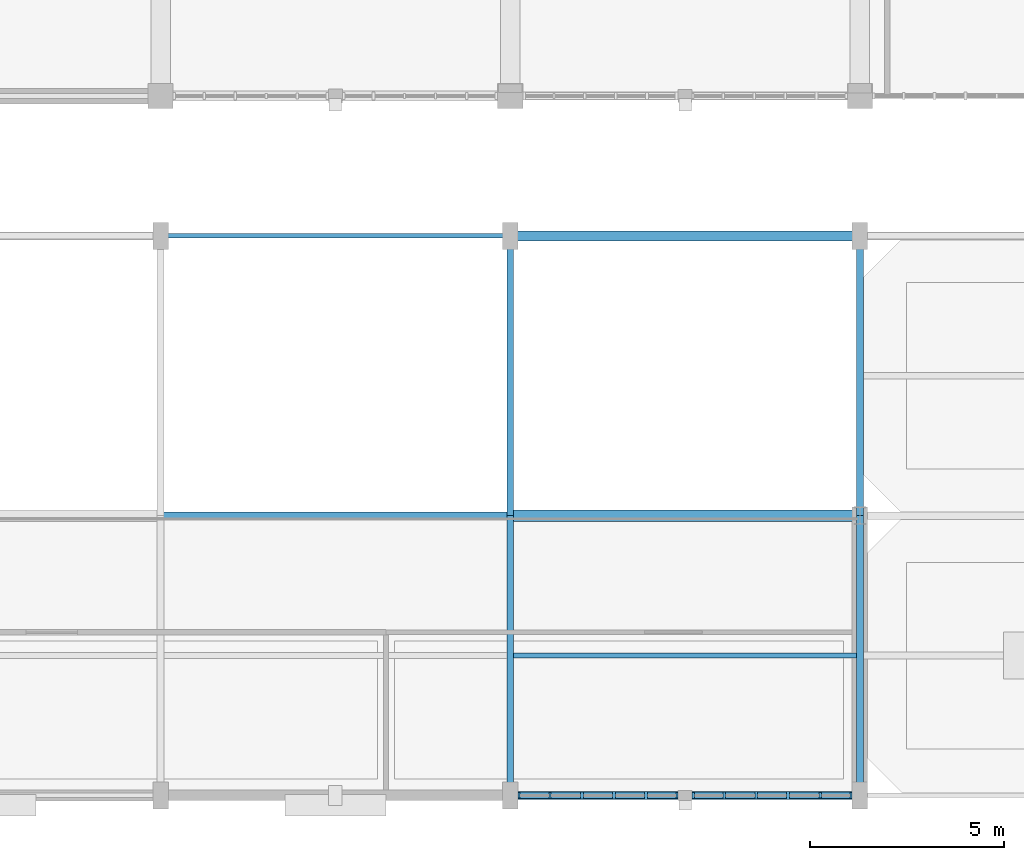
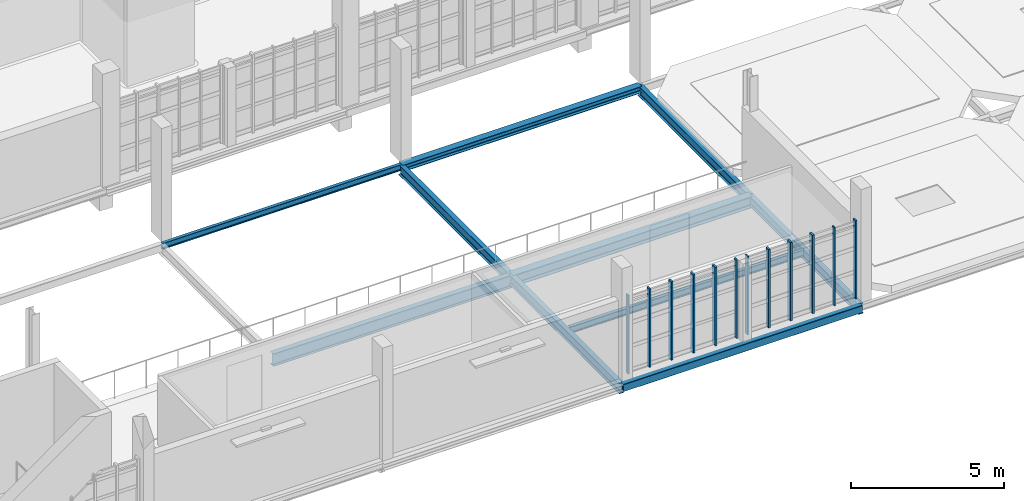
# One storey, part 18 of 125: 12 members, 10 beams, 2 elements without a shape of their own.
"""IFC4 building model written with IfcOpenShell, lengths in metres."""

from ifc_helpers import new_model, si_unit, direction, frame, origin, origin_2d, place, context, subcontext, project, spatial, rectangle, hollow_rectangle, i_section, extrude, material, material_profile, profile_set, type_object, element, aggregate, save


model = new_model("IFC4")

# Units and contexts
model_context = context("Model", 3, precision=1e-05, world=origin(), true_north=direction((0.0, 1.0)))
body_context = subcontext(model_context, "Body", "Model", "MODEL_VIEW")
ifc_project = project(units=[si_unit("LENGTHUNIT", "METRE"), si_unit("AREAUNIT", "SQUARE_METRE"), si_unit("VOLUMEUNIT", "CUBIC_METRE"), si_unit("PLANEANGLEUNIT", "RADIAN"), si_unit("MASSUNIT", "GRAM", prefix="KILO")], contexts=[model_context])

# Site, building, storey
site_placement = place(None, origin())
site = spatial("IfcSite", under=ifc_project, at=site_placement, CompositionType="ELEMENT")
building_placement = place(site_placement, origin())
building = spatial("IfcBuilding", under=site, at=building_placement, Name="Serraforn Aerial Cableway Station", CompositionType="ELEMENT")
storey_placement = place(building_placement, frame((0.0, 0.0, 4.5)))
storey = spatial("IfcBuildingStorey", under=building, at=storey_placement, Name="L01", CompositionType="ELEMENT", Elevation=4.5)

# Beams
ifc_material_1 = material(Name="Steel S355JR", Category="steel")
ifc_material_profile_1 = material_profile(ifc_material_1, i_section(OverallWidth=0.300048828125, OverallDepth=0.449951171875, WebThickness=0.011474609375, FlangeThickness=0.02099609375, FilletRadius=0.027099609375, at=origin_2d()), Name="HEA 450")
ifc_profile_set_1 = profile_set([ifc_material_profile_1], Name="Steel S355JR")
beam_type_1 = type_object("IfcBeamType", Name="BM-ST-HEA450", PredefinedType="USERDEFINED", material=ifc_profile_set_1)
beam_1_placement = place(storey_placement, frame((54.60009765625, 7.199951171875, -0.544921875), z_axis=(1.0, 0.0, 0.0), x_axis=(0.0, 1.0, 0.0)))
element("IfcBeam", 1, at=beam_1_placement, inside=storey, type_object=beam_type_1, Name="Grid Girder X CF L01 Y2-4", ObjectType="GIRDER", PredefinedType="USERDEFINED", context=body_context, shape_type="SweptSolid", body=[
    extrude(i_section(OverallWidth=0.300048828125, OverallDepth=0.449951171875, WebThickness=0.011474609375, FlangeThickness=0.02099609375, FilletRadius=0.027099609375, at=origin_2d()), origin(), (0.0, 0.0, 1.0), 9.0),
])
ifc_material_2 = material(Name="Steel S355J2", Category="steel")
ifc_material_profile_2 = material_profile(ifc_material_2, i_section(OverallWidth=0.260009765625, OverallDepth=0.260009765625, WebThickness=0.010009765625, FlangeThickness=0.017578125, FilletRadius=0.02392578125, at=origin_2d()), Name="HEB 260")
ifc_profile_set_2 = profile_set([ifc_material_profile_2], Name="Steel S355J2")
beam_type_2 = type_object("IfcBeamType", Name="BM-ST-HEB260", PredefinedType="BEAM", material=ifc_profile_set_2)
beam_2_placement = place(storey_placement, frame((54.60009765625, 14.39990234375, -0.449951171875), z_axis=(1.0, 0.0, 0.0), x_axis=(0.0, 1.0, 0.0)))
element("IfcBeam", 2, at=beam_2_placement, inside=storey, type_object=beam_type_2, Name="Grid Girder X CF L01 Y3-4", PredefinedType="BEAM", context=body_context, shape_type="SweptSolid", body=[
    extrude(i_section(OverallWidth=0.260009765625, OverallDepth=0.260009765625, WebThickness=0.010009765625, FlangeThickness=0.017578125, FilletRadius=0.02392578125, at=origin_2d()), origin(), (0.0, 0.0, 1.0), 9.0),
])
ifc_material_profile_3 = material_profile(ifc_material_1, i_section(OverallWidth=0.1201171875, OverallDepth=0.239990234375, WebThickness=0.006103515625, FlangeThickness=0.009765625, FilletRadius=0.014892578125, at=origin_2d()), Name="IPE 240")
ifc_profile_set_3 = profile_set([ifc_material_profile_3], Name="Steel S355JR")
beam_type_3 = type_object("IfcBeamType", Name="BM-ST-IPE240", PredefinedType="SPANDREL", material=ifc_profile_set_3)
beam_3_placement = place(storey_placement, frame((45.60009765625, 14.39990234375, -0.43994140625), z_axis=(1.0, 0.0, 0.0), x_axis=(0.0, 1.0, 0.0)))
element("IfcBeam", 3, at=beam_3_placement, inside=storey, type_object=beam_type_3, Name="Grid Girder X CF L01 Y3-3", PredefinedType="SPANDREL", context=body_context, shape_type="SweptSolid", body=[
    extrude(i_section(OverallWidth=0.1201171875, OverallDepth=0.239990234375, WebThickness=0.006103515625, FlangeThickness=0.009765625, FilletRadius=0.014892578125, at=origin_2d()), origin(), (0.0, 0.0, 1.0), 9.0),
])
ifc_material_profile_4 = material_profile(ifc_material_1, i_section(OverallWidth=0.135009765625, OverallDepth=0.27001953125, WebThickness=0.006591796875, FlangeThickness=0.01025390625, FilletRadius=0.014892578125, at=origin_2d()), Name="IPE 270")
ifc_profile_set_4 = profile_set([ifc_material_profile_4], Name="Steel S355JR")
beam_type_4 = type_object("IfcBeamType", Name="BM-ST-IPE270", PredefinedType="JOIST", material=ifc_profile_set_4)
beam_4_placement = place(storey_placement, frame((54.68994140625, 3.60009765625, -0.409912109375), z_axis=(1.0, 0.0, 0.0), x_axis=(0.0, 1.0, 0.0)))
element("IfcBeam", 4, at=beam_4_placement, inside=storey, type_object=beam_type_4, Name="Floor Joist CF-L01-4-1-1", PredefinedType="JOIST", context=body_context, shape_type="SweptSolid", body=[
    extrude(i_section(OverallWidth=0.135009765625, OverallDepth=0.27001953125, WebThickness=0.006591796875, FlangeThickness=0.01025390625, FilletRadius=0.014892578125, at=origin_2d()), origin(), (0.0, 0.0, 1.0), 8.820068359375),
])
ifc_material_profile_5 = material_profile(ifc_material_1, i_section(OverallWidth=0.179931640625, OverallDepth=0.39990234375, WebThickness=0.008544921875, FlangeThickness=0.013427734375, FilletRadius=0.02099609375, at=origin_2d()), Name="IPE 400")
ifc_profile_set_5 = profile_set([ifc_material_profile_5], Name="Steel S355JR")
beam_type_5 = type_object("IfcBeamType", Name="BM-ST-IPE400", PredefinedType="BEAM", material=ifc_profile_set_5)
for number, where, z_axis, x_axis, name in (
    (5, (54.60009765625, 0.0, -0.52001953125), (0.0, 1.0, 0.0), (-1.0, 0.0, 0.0), "Grid Girder Y CF L01 X4-1"),
    (6, (54.60009765625, 7.199951171875, -0.52001953125), (0.0, 1.0, 0.0), (-1.0, 0.0, 0.0), "Grid Girder Y CF L01 X4-2"),
    (7, (63.60009765625, 0.0, -0.52001953125), (0.0, 1.0, 0.0), (-1.0, 0.0, 0.0), "Grid Girder Y CF L01 X5-1"),
    (8, (63.60009765625, 7.199951171875, -0.52001953125), (0.0, 1.0, 0.0), (-1.0, 0.0, 0.0), "Grid Girder Y CF L01 X5-2"),
):
    element("IfcBeam", number, at=place(storey_placement, frame(where, z_axis=z_axis, x_axis=x_axis)), inside=storey, type_object=beam_type_5, Name=name, PredefinedType="BEAM", context=body_context, shape_type="SweptSolid", body=[
        extrude(i_section(OverallWidth=0.179931640625, OverallDepth=0.39990234375, WebThickness=0.008544921875, FlangeThickness=0.013427734375, FilletRadius=0.02099609375, at=origin_2d()), origin(), (0.0, 0.0, 1.0), 7.199951171875),
    ])
ifc_material_profile_6 = material_profile(ifc_material_1, i_section(OverallWidth=0.199951171875, OverallDepth=0.5, WebThickness=0.01025390625, FlangeThickness=0.01611328125, FilletRadius=0.02099609375, at=origin_2d()), Name="IPE 500")
ifc_profile_set_6 = profile_set([ifc_material_profile_6], Name="Steel S355JR")
beam_type_6 = type_object("IfcBeamType", Name="BM-ST-IPE500", PredefinedType="USERDEFINED", material=ifc_profile_set_6)
beam_5_placement = place(storey_placement, frame((45.60009765625, 7.199951171875, -0.570068359375), z_axis=(1.0, 0.0, 0.0), x_axis=(0.0, 1.0, 0.0)))
element("IfcBeam", 9, at=beam_5_placement, inside=storey, type_object=beam_type_6, Name="Grid Girder X CF L01 Y2-3", ObjectType="GIRDER", PredefinedType="USERDEFINED", context=body_context, shape_type="SweptSolid", body=[
    extrude(i_section(OverallWidth=0.199951171875, OverallDepth=0.5, WebThickness=0.01025390625, FlangeThickness=0.01611328125, FilletRadius=0.02099609375, at=origin_2d()), origin(), (0.0, 0.0, 1.0), 9.0),
])
ifc_material_profile_7 = material_profile(ifc_material_2, hollow_rectangle(XDim=0.199951171875, YDim=0.300048828125, WallThickness=0.012451171875, InnerFilletRadius=0.012451171875, OuterFilletRadius=0.02490234375, at=origin_2d()), Name="RHS 300x200x12.5")
ifc_profile_set_7 = profile_set([ifc_material_profile_7], Name="Steel S355J2")
beam_type_7 = type_object("IfcBeamType", Name="BM-ST-RHS300", PredefinedType="SPANDREL", material=ifc_profile_set_7)
beam_6_placement = place(storey_placement, frame((54.60009765625, 0.0, -0.469970703125), z_axis=(1.0, 0.0, 0.0), x_axis=(0.0, 1.0, 0.0)))
element("IfcBeam", 10, at=beam_6_placement, inside=storey, type_object=beam_type_7, Name="Grid Girder X CF L01 Y1-4", PredefinedType="SPANDREL", context=body_context, shape_type="SweptSolid", body=[
    extrude(hollow_rectangle(XDim=0.199951171875, YDim=0.300048828125, WallThickness=0.012451171875, InnerFilletRadius=0.012451171875, OuterFilletRadius=0.02490234375, at=origin_2d()), origin(), (0.0, 0.0, 1.0), 9.0),
])

# Curtain wall, members
ifc_material_3 = material(Name="Anodised bronze unitised curtain wall")
curtain_wall_type_1 = type_object("IfcCurtainWallType", Name="CW-SYS-27", PredefinedType="USERDEFINED", material=ifc_material_3)
curtain_wall_1_placement = place(storey_placement, origin())
curtain_wall_1 = element("IfcCurtainWall", 11, at=curtain_wall_1_placement, inside=storey, type_object=curtain_wall_type_1, Name="Unitised Curtain Wall CW-CF-L01-S4A", ObjectType="UNITISED CURTAIN WALL", PredefinedType="USERDEFINED")
ifc_material_4 = material(Name="Anodised bronze extruded aluminium", Category="aluminium")
ifc_material_profile_8 = material_profile(ifc_material_4, rectangle(XDim=0.054931640625, YDim=0.139892578125, at=origin_2d()), Name="CW MULLION 55x140")
ifc_profile_set_8 = profile_set([ifc_material_profile_8], Name="Anodised bronze extruded aluminium")
member_type_1 = type_object("IfcMemberType", Name="CW-MUL-1", PredefinedType="MULLION", material=ifc_profile_set_8)
member_1_placement = place(storey_placement, frame((54.825439453125, 0.0, 0.0), z_axis=(0.0, 0.0, 1.0), x_axis=(1.0, 0.0, 0.0)))
member_1 = element("IfcMember", 12, at=member_1_placement, type_object=member_type_1, Name="Curtain Wall Mullion CW-CF-L01-S4A-M1", PredefinedType="MULLION", context=body_context, shape_type="SweptSolid", body=[
    extrude(rectangle(XDim=0.054931640625, YDim=0.139892578125, at=origin_2d()), origin(), (0.0, 0.0, 1.0), 3.1201171875),
])
member_2_placement = place(storey_placement, frame((58.892578125, 0.0, 0.0), z_axis=(0.0, 0.0, 1.0), x_axis=(1.0, 0.0, 0.0)))
member_2 = element("IfcMember", 13, at=member_2_placement, type_object=member_type_1, Name="Curtain Wall Mullion CW-CF-L01-S4A-M6", PredefinedType="MULLION", context=body_context, shape_type="SweptSolid", body=[
    extrude(rectangle(XDim=0.054931640625, YDim=0.139892578125, at=origin_2d()), origin(), (0.0, 0.0, 1.0), 3.1201171875),
])

# Curtain wall, member
curtain_wall_type_2 = type_object("IfcCurtainWallType", Name="CW-SYS-28", PredefinedType="USERDEFINED", material=ifc_material_3)
curtain_wall_2_placement = place(storey_placement, origin())
curtain_wall_2 = element("IfcCurtainWall", 14, at=curtain_wall_2_placement, inside=storey, type_object=curtain_wall_type_2, Name="Unitised Curtain Wall CW-CF-L01-S4B", ObjectType="UNITISED CURTAIN WALL", PredefinedType="USERDEFINED")
member_3_placement = place(storey_placement, frame((62.57763671875, 0.0, 0.0), z_axis=(0.0, 0.0, 1.0), x_axis=(1.0, 0.0, 0.0)))
member_3 = element("IfcMember", 15, at=member_3_placement, type_object=member_type_1, Name="Curtain Wall Mullion CW-CF-L01-S4B-M5", PredefinedType="MULLION", context=body_context, shape_type="SweptSolid", body=[
    extrude(rectangle(XDim=0.054931640625, YDim=0.139892578125, at=origin_2d()), origin(), (0.0, 0.0, 1.0), 3.1201171875),
])

# Member
ifc_material_profile_9 = material_profile(ifc_material_4, rectangle(XDim=0.06005859375, YDim=0.159912109375, at=origin_2d()), Name="CW MULLION 60x160")
ifc_profile_set_9 = profile_set([ifc_material_profile_9], Name="Anodised bronze extruded aluminium")
member_type_2 = type_object("IfcMemberType", Name="CW-MUL-2", PredefinedType="MULLION", material=ifc_profile_set_9)
member_4_placement = place(storey_placement, frame((55.622314453125, 0.0, 0.0), z_axis=(0.0, 0.0, 1.0), x_axis=(1.0, 0.0, 0.0)))
member_4 = element("IfcMember", 16, at=member_4_placement, type_object=member_type_2, Name="Curtain Wall Mullion CW-CF-L01-S4A-M2", PredefinedType="MULLION", context=body_context, shape_type="SweptSolid", body=[
    extrude(rectangle(XDim=0.06005859375, YDim=0.159912109375, at=origin_2d()), origin(), (0.0, 0.0, 1.0), 3.1201171875),
])

member_5_placement = place(storey_placement, frame((59.31005859375, 0.0, 0.0), z_axis=(0.0, 0.0, 1.0), x_axis=(1.0, 0.0, 0.0)))
member_5 = element("IfcMember", 17, at=member_5_placement, type_object=member_type_2, Name="Curtain Wall Mullion CW-CF-L01-S4B-M1", PredefinedType="MULLION", context=body_context, shape_type="SweptSolid", body=[
    extrude(rectangle(XDim=0.06005859375, YDim=0.159912109375, at=origin_2d()), origin(), (0.0, 0.0, 1.0), 3.1201171875),
])

member_6_placement = place(storey_placement, frame((63.3720703125, 0.0, 0.0), z_axis=(0.0, 0.0, 1.0), x_axis=(1.0, 0.0, 0.0)))
member_6 = element("IfcMember", 18, at=member_6_placement, type_object=member_type_2, Name="Curtain Wall Mullion CW-CF-L01-S4B-M6", PredefinedType="MULLION", context=body_context, shape_type="SweptSolid", body=[
    extrude(rectangle(XDim=0.06005859375, YDim=0.159912109375, at=origin_2d()), origin(), (0.0, 0.0, 1.0), 3.1201171875),
])

ifc_material_profile_10 = material_profile(ifc_material_4, rectangle(XDim=0.06494140625, YDim=0.175048828125, at=origin_2d()), Name="CW MULLION 65x175")
ifc_profile_set_10 = profile_set([ifc_material_profile_10], Name="Anodised bronze extruded aluminium")
member_type_3 = type_object("IfcMemberType", Name="CW-MUL-3", PredefinedType="MULLION", material=ifc_profile_set_10)
member_7_placement = place(storey_placement, frame((56.44677734375, 0.0, 0.0), z_axis=(0.0, 0.0, 1.0), x_axis=(1.0, 0.0, 0.0)))
member_7 = element("IfcMember", 19, at=member_7_placement, type_object=member_type_3, Name="Curtain Wall Mullion CW-CF-L01-S4A-M3", PredefinedType="MULLION", context=body_context, shape_type="SweptSolid", body=[
    extrude(rectangle(XDim=0.06494140625, YDim=0.175048828125, at=origin_2d()), origin(), (0.0, 0.0, 1.0), 3.1201171875),
])

member_8_placement = place(storey_placement, frame((60.1044921875, 0.0, 0.0), z_axis=(0.0, 0.0, 1.0), x_axis=(1.0, 0.0, 0.0)))
member_8 = element("IfcMember", 20, at=member_8_placement, type_object=member_type_3, Name="Curtain Wall Mullion CW-CF-L01-S4B-M2", PredefinedType="MULLION", context=body_context, shape_type="SweptSolid", body=[
    extrude(rectangle(XDim=0.06494140625, YDim=0.175048828125, at=origin_2d()), origin(), (0.0, 0.0, 1.0), 3.1201171875),
])

ifc_material_profile_11 = material_profile(ifc_material_4, rectangle(XDim=0.070068359375, YDim=0.18994140625, at=origin_2d()), Name="CW MULLION 70x190")
ifc_profile_set_11 = profile_set([ifc_material_profile_11], Name="Anodised bronze extruded aluminium")
member_type_4 = type_object("IfcMemberType", Name="CW-MUL-4", PredefinedType="MULLION", material=ifc_profile_set_11)
member_9_placement = place(storey_placement, frame((57.271240234375, 0.0, 0.0), z_axis=(0.0, 0.0, 1.0), x_axis=(1.0, 0.0, 0.0)))
member_9 = element("IfcMember", 21, at=member_9_placement, type_object=member_type_4, Name="Curtain Wall Mullion CW-CF-L01-S4A-M4", PredefinedType="MULLION", context=body_context, shape_type="SweptSolid", body=[
    extrude(rectangle(XDim=0.070068359375, YDim=0.18994140625, at=origin_2d()), origin(), (0.0, 0.0, 1.0), 3.1201171875),
])

member_10_placement = place(storey_placement, frame((60.9287109375, 0.0, 0.0), z_axis=(0.0, 0.0, 1.0), x_axis=(1.0, 0.0, 0.0)))
member_10 = element("IfcMember", 22, at=member_10_placement, type_object=member_type_4, Name="Curtain Wall Mullion CW-CF-L01-S4B-M3", PredefinedType="MULLION", context=body_context, shape_type="SweptSolid", body=[
    extrude(rectangle(XDim=0.070068359375, YDim=0.18994140625, at=origin_2d()), origin(), (0.0, 0.0, 1.0), 3.1201171875),
])

ifc_material_profile_12 = material_profile(ifc_material_4, rectangle(XDim=0.074951171875, YDim=0.199951171875, at=origin_2d()), Name="CW MULLION 75x200")
ifc_profile_set_12 = profile_set([ifc_material_profile_12], Name="Anodised bronze extruded aluminium")
member_type_5 = type_object("IfcMemberType", Name="CW-MUL-5", PredefinedType="MULLION", material=ifc_profile_set_12)
member_11_placement = place(storey_placement, frame((58.095703125, 0.0, 0.0), z_axis=(0.0, 0.0, 1.0), x_axis=(1.0, 0.0, 0.0)))
member_11 = element("IfcMember", 23, at=member_11_placement, type_object=member_type_5, Name="Curtain Wall Mullion CW-CF-L01-S4A-M5", PredefinedType="MULLION", context=body_context, shape_type="SweptSolid", body=[
    extrude(rectangle(XDim=0.074951171875, YDim=0.199951171875, at=origin_2d()), origin(), (0.0, 0.0, 1.0), 3.1201171875),
])

aggregate(curtain_wall_1, [member_1, member_4, member_7, member_9, member_11, member_2])

member_12_placement = place(storey_placement, frame((61.753173828125, 0.0, 0.0), z_axis=(0.0, 0.0, 1.0), x_axis=(1.0, 0.0, 0.0)))
member_12 = element("IfcMember", 24, at=member_12_placement, type_object=member_type_5, Name="Curtain Wall Mullion CW-CF-L01-S4B-M4", PredefinedType="MULLION", context=body_context, shape_type="SweptSolid", body=[
    extrude(rectangle(XDim=0.074951171875, YDim=0.199951171875, at=origin_2d()), origin(), (0.0, 0.0, 1.0), 3.1201171875),
])

aggregate(curtain_wall_2, [member_5, member_8, member_10, member_12, member_3, member_6])

save(model, "model.ifc")
